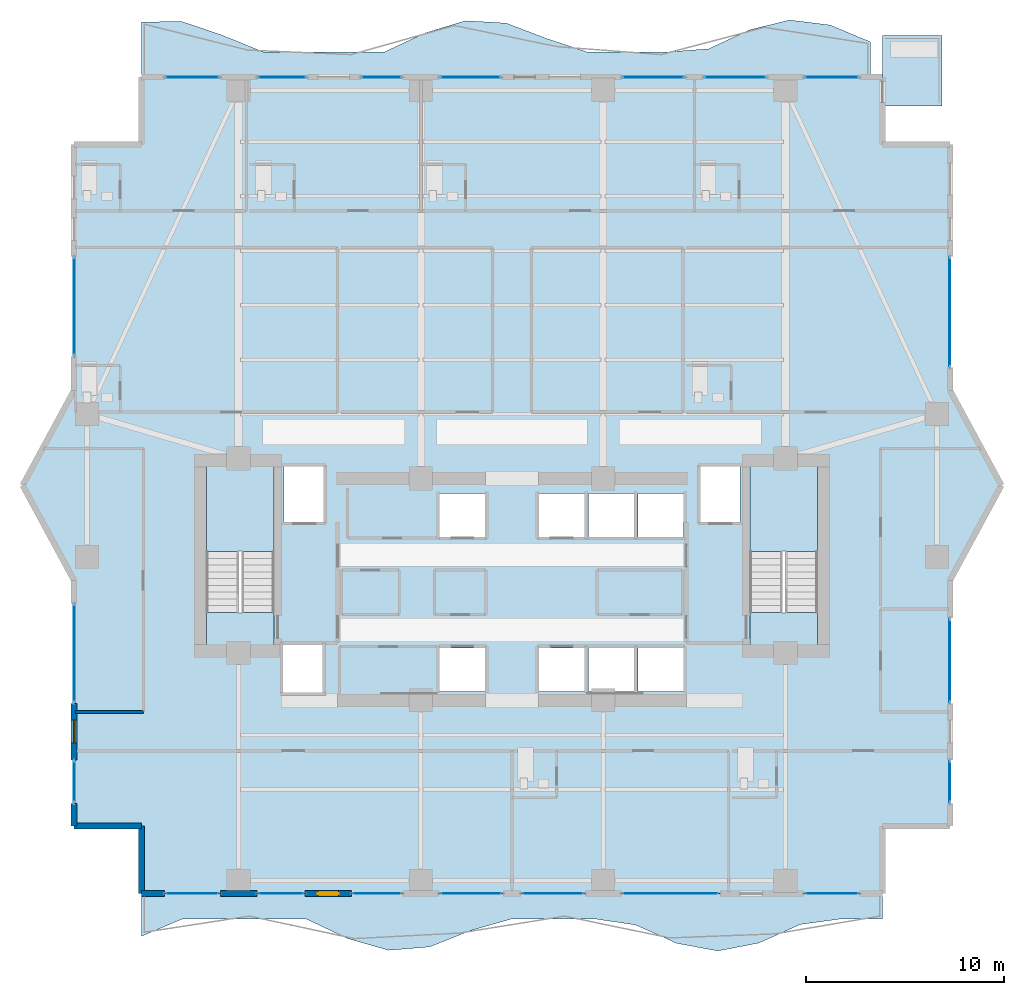
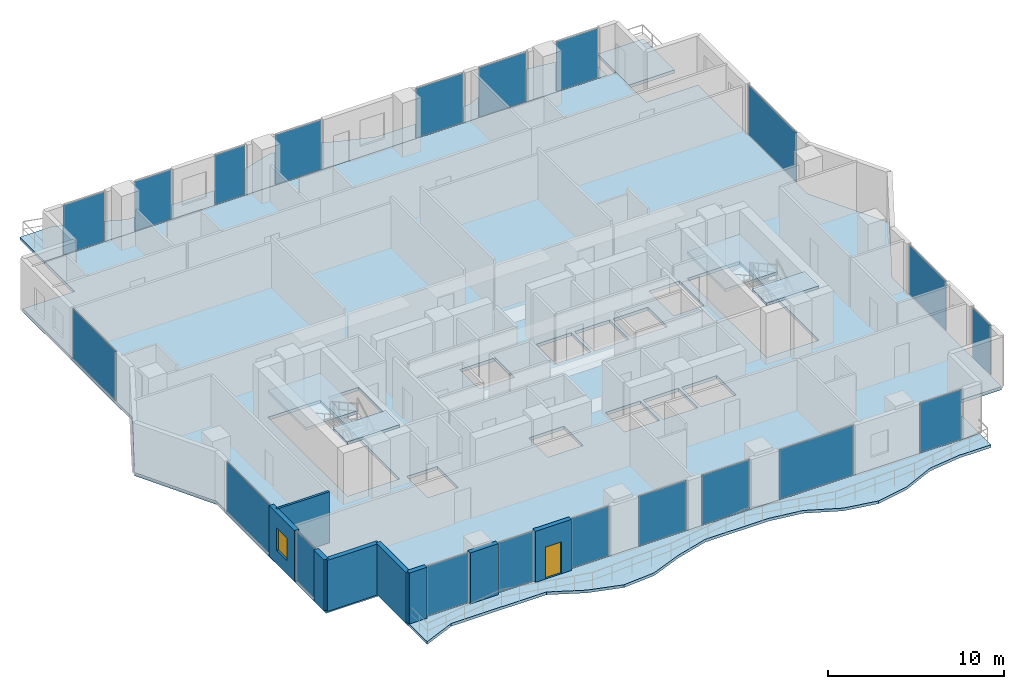
# One storey, part 24 of 33: 20 plates, 8 slabs, 8 walls, 1 door, 1 window, 2 openings, 22 elements without a shape of their own.
"""IFC4 building model written with IfcOpenShell, lengths in metres."""

from ifc_helpers import new_model, si_unit, direction, frame, frame_2d, origin, origin_2d, place, context, subcontext, project, spatial, polyline, rectangle, outline, extrude, material, layer, layer_set, type_object, element, fill, aggregate, save


model = new_model("IFC4")

# Units and contexts
model_context = context("Model", 3, precision=1e-05, world=origin(), true_north=direction((0.0, 1.0)))
body_context = subcontext(model_context, "Body", "Model", "MODEL_VIEW")
ifc_project = project(units=[si_unit("LENGTHUNIT", "METRE"), si_unit("AREAUNIT", "SQUARE_METRE"), si_unit("VOLUMEUNIT", "CUBIC_METRE"), si_unit("PLANEANGLEUNIT", "RADIAN"), si_unit("MASSUNIT", "GRAM", prefix="KILO")], contexts=[model_context])

# Site, building, storey
site_placement = place(None, origin())
site = spatial("IfcSite", under=ifc_project, at=site_placement, CompositionType="ELEMENT")
building_placement = place(site_placement, origin())
building = spatial("IfcBuilding", under=site, at=building_placement, Name="Zuhayl Quay Hotel", CompositionType="ELEMENT")
storey_placement = place(building_placement, frame((0.0, 0.0, 211.14990234375)))
storey = spatial("IfcBuildingStorey", under=building, at=storey_placement, Name="L53", CompositionType="ELEMENT", Elevation=211.14990234375)

# Curtain wall, plate
ifc_material_1 = material(Name="Anodised Aluminium 6063-T6", Category="aluminium")
ifc_layer_1 = layer(ifc_material_1, 0.175048828125, Name="Anodised Aluminium 6063-T6", Category="aluminium")
ifc_layer_set_1 = layer_set([ifc_layer_1], Name="Anodised Aluminium 6063-T6")
curtain_wall_type = type_object("IfcCurtainWallType", Name="CW_SYS_Z3", PredefinedType="USERDEFINED", material=ifc_layer_set_1)
curtain_wall_1_placement = place(storey_placement, origin())
curtain_wall_1 = element("IfcCurtainWall", 1, at=curtain_wall_1_placement, inside=storey, type_object=curtain_wall_type, Name="L53 Curtain Wall ENV_L53_E02_CW1", ObjectType="UNITISED CURTAIN WALL", PredefinedType="USERDEFINED")
ifc_material_2 = material(Name="Dark Ceramic-Fritted Solar Glass", Category="glass")
ifc_layer_2 = layer(ifc_material_2, 0.0400390625, Name="Dark Ceramic-Fritted Solar Glass", Category="glass")
ifc_layer_set_2 = layer_set([ifc_layer_2], Name="Dark Ceramic-Fritted Solar Glass")
plate_type = type_object("IfcPlateType", Name="PN_OP_VENT_Z3", PredefinedType="CURTAIN_PANEL", material=ifc_layer_set_2)
plate_1_placement = place(storey_placement, frame((-22.10009765625, -1.949951171875, 0.05517578125), z_axis=(0.0, 0.0, 1.0), x_axis=(0.0, 1.0, 0.0)))
plate_1 = element("IfcPlate", 2, at=plate_1_placement, type_object=plate_type, Name="CW-Z3 panel 1.1", PredefinedType="CURTAIN_PANEL", context=body_context, shape_type="SweptSolid", body=[
    extrude(rectangle(XDim=2.070068359375, YDim=0.0400390625, at=origin_2d()), origin(), (0.0, 0.0, 1.0), 3.419921875),
])
aggregate(curtain_wall_1, [plate_1])

curtain_wall_2_placement = place(storey_placement, origin())
curtain_wall_2 = element("IfcCurtainWall", 3, at=curtain_wall_2_placement, inside=storey, type_object=curtain_wall_type, Name="L53 Curtain Wall ENV_L53_E02_CW2", ObjectType="UNITISED CURTAIN WALL", PredefinedType="USERDEFINED")
plate_2_placement = place(storey_placement, frame((-22.10009765625, 4.52490234375, 0.05517578125), z_axis=(0.0, 0.0, 1.0), x_axis=(0.0, 1.0, 0.0)))
plate_2 = element("IfcPlate", 4, at=plate_2_placement, type_object=plate_type, Name="CW-Z3 panel 1.1", PredefinedType="CURTAIN_PANEL", context=body_context, shape_type="SweptSolid", body=[
    extrude(rectangle(XDim=4.919921875, YDim=0.0400390625, at=origin_2d()), origin(), (0.0, 0.0, 1.0), 3.419921875),
])
aggregate(curtain_wall_2, [plate_2])

curtain_wall_3_placement = place(storey_placement, origin())
curtain_wall_3 = element("IfcCurtainWall", 5, at=curtain_wall_3_placement, inside=storey, type_object=curtain_wall_type, Name="L53 Curtain Wall ENV_L53_E05_CW1", ObjectType="UNITISED CURTAIN WALL", PredefinedType="USERDEFINED")
plate_3_placement = place(storey_placement, frame((-22.10009765625, 22.030029296875, 0.05517578125), z_axis=(0.0, 0.0, 1.0), x_axis=(0.0, 1.0, 0.0)))
plate_3 = element("IfcPlate", 6, at=plate_3_placement, type_object=plate_type, Name="CW-Z3 panel 1.1", PredefinedType="CURTAIN_PANEL", context=body_context, shape_type="SweptSolid", body=[
    extrude(rectangle(XDim=4.909912109375, YDim=0.0400390625, at=origin_2d()), origin(), (0.0, 0.0, 1.0), 3.419921875),
])
aggregate(curtain_wall_3, [plate_3])

curtain_wall_4_placement = place(storey_placement, origin())
curtain_wall_4 = element("IfcCurtainWall", 7, at=curtain_wall_4_placement, inside=storey, type_object=curtain_wall_type, Name="L53 Curtain Wall ENV_L53_N_CW1", ObjectType="UNITISED CURTAIN WALL", PredefinedType="USERDEFINED")
plate_4_placement = place(storey_placement, frame((-16.135009765625, 33.60009765625, 0.05517578125), z_axis=(0.0, 0.0, 1.0), x_axis=(1.0, 0.0, 0.0)))
plate_4 = element("IfcPlate", 8, at=plate_4_placement, type_object=plate_type, Name="CW-Z3 panel 1.1", PredefinedType="CURTAIN_PANEL", context=body_context, shape_type="SweptSolid", body=[
    extrude(rectangle(XDim=2.699951171875, YDim=0.0400390625, at=origin_2d()), origin(), (0.0, 0.0, 1.0), 3.419921875),
])
aggregate(curtain_wall_4, [plate_4])

curtain_wall_5_placement = place(storey_placement, origin())
curtain_wall_5 = element("IfcCurtainWall", 9, at=curtain_wall_5_placement, inside=storey, type_object=curtain_wall_type, Name="L53 Curtain Wall ENV_L53_N_CW2", ObjectType="UNITISED CURTAIN WALL", PredefinedType="USERDEFINED")
plate_5_placement = place(storey_placement, frame((-11.614990234375, 33.60009765625, 0.05517578125), z_axis=(0.0, 0.0, 1.0), x_axis=(1.0, 0.0, 0.0)))
plate_5 = element("IfcPlate", 10, at=plate_5_placement, type_object=plate_type, Name="CW-Z3 panel 1.1", PredefinedType="CURTAIN_PANEL", context=body_context, shape_type="SweptSolid", body=[
    extrude(rectangle(XDim=2.39990234375, YDim=0.0400390625, at=origin_2d()), origin(), (0.0, 0.0, 1.0), 3.419921875),
])
aggregate(curtain_wall_5, [plate_5])

curtain_wall_6_placement = place(storey_placement, origin())
curtain_wall_6 = element("IfcCurtainWall", 11, at=curtain_wall_6_placement, inside=storey, type_object=curtain_wall_type, Name="L53 Curtain Wall ENV_L53_N_CW3", ObjectType="UNITISED CURTAIN WALL", PredefinedType="USERDEFINED")
plate_6_placement = place(storey_placement, frame((-6.5849609375, 33.60009765625, 0.05517578125), z_axis=(0.0, 0.0, 1.0), x_axis=(1.0, 0.0, 0.0)))
plate_6 = element("IfcPlate", 12, at=plate_6_placement, type_object=plate_type, Name="CW-Z3 panel 1.1", PredefinedType="CURTAIN_PANEL", context=body_context, shape_type="SweptSolid", body=[
    extrude(rectangle(XDim=2.0, YDim=0.0400390625, at=origin_2d()), origin(), (0.0, 0.0, 1.0), 3.419921875),
])
aggregate(curtain_wall_6, [plate_6])

curtain_wall_7_placement = place(storey_placement, origin())
curtain_wall_7 = element("IfcCurtainWall", 13, at=curtain_wall_7_placement, inside=storey, type_object=curtain_wall_type, Name="L53 Curtain Wall ENV_L53_N_CW4", ObjectType="UNITISED CURTAIN WALL", PredefinedType="USERDEFINED")
plate_7_placement = place(storey_placement, frame((-2.10546875, 33.60009765625, 0.05517578125), z_axis=(0.0, 0.0, 1.0), x_axis=(1.0, 0.0, 0.0)))
plate_7 = element("IfcPlate", 14, at=plate_7_placement, type_object=plate_type, Name="CW-Z3 panel 1.1", PredefinedType="CURTAIN_PANEL", context=body_context, shape_type="SweptSolid", body=[
    extrude(rectangle(XDim=3.01904296875, YDim=0.0400390625, at=origin_2d()), origin(), (0.0, 0.0, 1.0), 3.419921875),
])
aggregate(curtain_wall_7, [plate_7])

curtain_wall_8_placement = place(storey_placement, origin())
curtain_wall_8 = element("IfcCurtainWall", 15, at=curtain_wall_8_placement, inside=storey, type_object=curtain_wall_type, Name="L53 Curtain Wall ENV_L53_N_CW5", ObjectType="UNITISED CURTAIN WALL", PredefinedType="USERDEFINED")
plate_8_placement = place(storey_placement, frame((7.135009765625, 33.60009765625, 0.05517578125), z_axis=(0.0, 0.0, 1.0), x_axis=(1.0, 0.0, 0.0)))
plate_8 = element("IfcPlate", 16, at=plate_8_placement, type_object=plate_type, Name="CW-Z3 panel 1.1", PredefinedType="CURTAIN_PANEL", context=body_context, shape_type="SweptSolid", body=[
    extrude(rectangle(XDim=3.10009765625, YDim=0.0400390625, at=origin_2d()), origin(), (0.0, 0.0, 1.0), 3.419921875),
])
aggregate(curtain_wall_8, [plate_8])

curtain_wall_9_placement = place(storey_placement, origin())
curtain_wall_9 = element("IfcCurtainWall", 17, at=curtain_wall_9_placement, inside=storey, type_object=curtain_wall_type, Name="L53 Curtain Wall ENV_L53_N_CW6", ObjectType="UNITISED CURTAIN WALL", PredefinedType="USERDEFINED")
plate_9_placement = place(storey_placement, frame((11.264892578125, 33.60009765625, 0.05517578125), z_axis=(0.0, 0.0, 1.0), x_axis=(1.0, 0.0, 0.0)))
plate_9 = element("IfcPlate", 18, at=plate_9_placement, type_object=plate_type, Name="CW-Z3 panel 1.1", PredefinedType="CURTAIN_PANEL", context=body_context, shape_type="SweptSolid", body=[
    extrude(rectangle(XDim=3.10009765625, YDim=0.0400390625, at=origin_2d()), origin(), (0.0, 0.0, 1.0), 3.419921875),
])
aggregate(curtain_wall_9, [plate_9])

curtain_wall_10_placement = place(storey_placement, origin())
curtain_wall_10 = element("IfcCurtainWall", 19, at=curtain_wall_10_placement, inside=storey, type_object=curtain_wall_type, Name="L53 Curtain Wall ENV_L53_N_CW7", ObjectType="UNITISED CURTAIN WALL", PredefinedType="USERDEFINED")
plate_10_placement = place(storey_placement, frame((16.135009765625, 33.60009765625, 0.05517578125), z_axis=(0.0, 0.0, 1.0), x_axis=(1.0, 0.0, 0.0)))
plate_10 = element("IfcPlate", 20, at=plate_10_placement, type_object=plate_type, Name="CW-Z3 panel 1.1", PredefinedType="CURTAIN_PANEL", context=body_context, shape_type="SweptSolid", body=[
    extrude(rectangle(XDim=2.699951171875, YDim=0.0400390625, at=origin_2d()), origin(), (0.0, 0.0, 1.0), 3.419921875),
])
aggregate(curtain_wall_10, [plate_10])

curtain_wall_11_placement = place(storey_placement, origin())
curtain_wall_11 = element("IfcCurtainWall", 21, at=curtain_wall_11_placement, inside=storey, type_object=curtain_wall_type, Name="L53 Curtain Wall ENV_L53_E11_CW1", ObjectType="UNITISED CURTAIN WALL", PredefinedType="USERDEFINED")
plate_11_placement = place(storey_placement, frame((22.10009765625, 21.75, 0.05517578125), z_axis=(0.0, 0.0, 1.0), x_axis=(0.0, -1.0, 0.0)))
plate_11 = element("IfcPlate", 22, at=plate_11_placement, type_object=plate_type, Name="CW-Z3 panel 1.1", PredefinedType="CURTAIN_PANEL", context=body_context, shape_type="SweptSolid", body=[
    extrude(rectangle(XDim=5.469970703125, YDim=0.0400390625, at=origin_2d()), origin(), (0.0, 0.0, 1.0), 3.419921875),
])
aggregate(curtain_wall_11, [plate_11])

curtain_wall_12_placement = place(storey_placement, origin())
curtain_wall_12 = element("IfcCurtainWall", 23, at=curtain_wall_12_placement, inside=storey, type_object=curtain_wall_type, Name="L53 Curtain Wall ENV_L53_E14_CW1", ObjectType="UNITISED CURTAIN WALL", PredefinedType="USERDEFINED")
plate_12_placement = place(storey_placement, frame((22.10009765625, 4.14990234375, 0.05517578125), z_axis=(0.0, 0.0, 1.0), x_axis=(0.0, -1.0, 0.0)))
plate_12 = element("IfcPlate", 24, at=plate_12_placement, type_object=plate_type, Name="CW-Z3 panel 1.1", PredefinedType="CURTAIN_PANEL", context=body_context, shape_type="SweptSolid", body=[
    extrude(rectangle(XDim=4.169921875, YDim=0.0400390625, at=origin_2d()), origin(), (0.0, 0.0, 1.0), 3.419921875),
])
aggregate(curtain_wall_12, [plate_12])

curtain_wall_13_placement = place(storey_placement, origin())
curtain_wall_13 = element("IfcCurtainWall", 25, at=curtain_wall_13_placement, inside=storey, type_object=curtain_wall_type, Name="L53 Curtain Wall ENV_L53_E14_CW2", ObjectType="UNITISED CURTAIN WALL", PredefinedType="USERDEFINED")
plate_13_placement = place(storey_placement, frame((22.10009765625, -1.949951171875, 0.05517578125), z_axis=(0.0, 0.0, 1.0), x_axis=(0.0, -1.0, 0.0)))
plate_13 = element("IfcPlate", 26, at=plate_13_placement, type_object=plate_type, Name="CW-Z3 panel 1.1", PredefinedType="CURTAIN_PANEL", context=body_context, shape_type="SweptSolid", body=[
    extrude(rectangle(XDim=2.070068359375, YDim=0.0400390625, at=origin_2d()), origin(), (0.0, 0.0, 1.0), 3.419921875),
])
aggregate(curtain_wall_13, [plate_13])

curtain_wall_14_placement = place(storey_placement, origin())
curtain_wall_14 = element("IfcCurtainWall", 27, at=curtain_wall_14_placement, inside=storey, type_object=curtain_wall_type, Name="L53 Curtain Wall ENV_L53_S_CW1", ObjectType="UNITISED CURTAIN WALL", PredefinedType="USERDEFINED")
plate_14_placement = place(storey_placement, frame((16.135009765625, -7.60009765625, 0.05517578125), z_axis=(0.0, 0.0, 1.0), x_axis=(-1.0, 0.0, 0.0)))
plate_14 = element("IfcPlate", 28, at=plate_14_placement, type_object=plate_type, Name="CW-Z3 panel 1.1", PredefinedType="CURTAIN_PANEL", context=body_context, shape_type="SweptSolid", body=[
    extrude(rectangle(XDim=2.699951171875, YDim=0.0400390625, at=origin_2d()), origin(), (0.0, 0.0, 1.0), 3.419921875),
])
aggregate(curtain_wall_14, [plate_14])

curtain_wall_15_placement = place(storey_placement, origin())
curtain_wall_15 = element("IfcCurtainWall", 29, at=curtain_wall_15_placement, inside=storey, type_object=curtain_wall_type, Name="L53 Curtain Wall ENV_L53_S_CW2", ObjectType="UNITISED CURTAIN WALL", PredefinedType="USERDEFINED")
plate_15_placement = place(storey_placement, frame((8.0048828125, -7.60009765625, 0.05517578125), z_axis=(0.0, 0.0, 1.0), x_axis=(-1.0, 0.0, 0.0)))
plate_15 = element("IfcPlate", 30, at=plate_15_placement, type_object=plate_type, Name="CW-Z3 panel 1.1", PredefinedType="CURTAIN_PANEL", context=body_context, shape_type="SweptSolid", body=[
    extrude(rectangle(XDim=4.840087890625, YDim=0.0400390625, at=origin_2d()), origin(), (0.0, 0.0, 1.0), 3.419921875),
])
aggregate(curtain_wall_15, [plate_15])

curtain_wall_16_placement = place(storey_placement, origin())
curtain_wall_16 = element("IfcCurtainWall", 31, at=curtain_wall_16_placement, inside=storey, type_object=curtain_wall_type, Name="L53 Curtain Wall ENV_L53_S_CW3", ObjectType="UNITISED CURTAIN WALL", PredefinedType="USERDEFINED")
plate_16_placement = place(storey_placement, frame((2.06494140625, -7.60009765625, 0.05517578125), z_axis=(0.0, 0.0, 1.0), x_axis=(-1.0, 0.0, 0.0)))
plate_16 = element("IfcPlate", 32, at=plate_16_placement, type_object=plate_type, Name="CW-Z3 panel 1.1", PredefinedType="CURTAIN_PANEL", context=body_context, shape_type="SweptSolid", body=[
    extrude(rectangle(XDim=3.10009765625, YDim=0.0400390625, at=origin_2d()), origin(), (0.0, 0.0, 1.0), 3.419921875),
])
aggregate(curtain_wall_16, [plate_16])

curtain_wall_17_placement = place(storey_placement, origin())
curtain_wall_17 = element("IfcCurtainWall", 33, at=curtain_wall_17_placement, inside=storey, type_object=curtain_wall_type, Name="L53 Curtain Wall ENV_L53_S_CW4", ObjectType="UNITISED CURTAIN WALL", PredefinedType="USERDEFINED")
plate_17_placement = place(storey_placement, frame((-2.06494140625, -7.60009765625, 0.05517578125), z_axis=(0.0, 0.0, 1.0), x_axis=(-1.0, 0.0, 0.0)))
plate_17 = element("IfcPlate", 34, at=plate_17_placement, type_object=plate_type, Name="CW-Z3 panel 1.1", PredefinedType="CURTAIN_PANEL", context=body_context, shape_type="SweptSolid", body=[
    extrude(rectangle(XDim=3.10009765625, YDim=0.0400390625, at=origin_2d()), origin(), (0.0, 0.0, 1.0), 3.419921875),
])
aggregate(curtain_wall_17, [plate_17])

curtain_wall_18_placement = place(storey_placement, origin())
curtain_wall_18 = element("IfcCurtainWall", 35, at=curtain_wall_18_placement, inside=storey, type_object=curtain_wall_type, Name="L53 Curtain Wall ENV_L53_S_CW5", ObjectType="UNITISED CURTAIN WALL", PredefinedType="USERDEFINED")
plate_18_placement = place(storey_placement, frame((-6.81005859375, -7.60009765625, 0.05517578125), z_axis=(0.0, 0.0, 1.0), x_axis=(-1.0, 0.0, 0.0)))
plate_18 = element("IfcPlate", 36, at=plate_18_placement, type_object=plate_type, Name="CW-Z3 panel 1.1", PredefinedType="CURTAIN_PANEL", context=body_context, shape_type="SweptSolid", body=[
    extrude(rectangle(XDim=2.449951171875, YDim=0.0400390625, at=origin_2d()), origin(), (0.0, 0.0, 1.0), 3.419921875),
])
aggregate(curtain_wall_18, [plate_18])

curtain_wall_19_placement = place(storey_placement, origin())
curtain_wall_19 = element("IfcCurtainWall", 37, at=curtain_wall_19_placement, inside=storey, type_object=curtain_wall_type, Name="L53 Curtain Wall ENV_L53_S_CW6", ObjectType="UNITISED CURTAIN WALL", PredefinedType="USERDEFINED")
plate_19_placement = place(storey_placement, frame((-11.6650390625, -7.60009765625, 0.05517578125), z_axis=(0.0, 0.0, 1.0), x_axis=(-1.0, 0.0, 0.0)))
plate_19 = element("IfcPlate", 38, at=plate_19_placement, type_object=plate_type, Name="CW-Z3 panel 1.1", PredefinedType="CURTAIN_PANEL", context=body_context, shape_type="SweptSolid", body=[
    extrude(rectangle(XDim=2.300048828125, YDim=0.0400390625, at=origin_2d()), origin(), (0.0, 0.0, 1.0), 3.419921875),
])
aggregate(curtain_wall_19, [plate_19])

curtain_wall_20_placement = place(storey_placement, origin())
curtain_wall_20 = element("IfcCurtainWall", 39, at=curtain_wall_20_placement, inside=storey, type_object=curtain_wall_type, Name="L53 Curtain Wall ENV_L53_S_CW7", ObjectType="UNITISED CURTAIN WALL", PredefinedType="USERDEFINED")
plate_20_placement = place(storey_placement, frame((-16.135009765625, -7.60009765625, 0.05517578125), z_axis=(0.0, 0.0, 1.0), x_axis=(-1.0, 0.0, 0.0)))
plate_20 = element("IfcPlate", 40, at=plate_20_placement, type_object=plate_type, Name="CW-Z3 panel 1.1", PredefinedType="CURTAIN_PANEL", context=body_context, shape_type="SweptSolid", body=[
    extrude(rectangle(XDim=2.699951171875, YDim=0.0400390625, at=origin_2d()), origin(), (0.0, 0.0, 1.0), 3.419921875),
])
aggregate(curtain_wall_20, [plate_20])

# Slabs
ifc_material_3 = material(Name="Concrete C45/55", Category="concrete")
ifc_layer_3 = layer(ifc_material_3, 0.195068359375, Name="Concrete C45/55", Category="concrete")
ifc_layer_set_3 = layer_set([ifc_layer_3], Name="Concrete C45/55")
slab_type_1 = type_object("IfcSlabType", Name="SL_BALCONY_195", PredefinedType="FLOOR", material=ifc_layer_set_3)
slab_1_placement = place(storey_placement, frame((0.0, 0.0, -0.19482421875)))
element("IfcSlab", 41, at=slab_1_placement, inside=storey, type_object=slab_type_1, Name="L53 Exterior Rippling Balcony Slab North", PredefinedType="FLOOR", context=body_context, shape_type="SweptSolid", body=[
    extrude(outline(polyline([(-18.699951171875, 33.60009765625), (18.10009765625, 33.60009765625), (18.10009765625, 35.380615234375), (16.0556640625, 36.235107421875), (14.010986328125, 36.48779296875), (11.966796875, 35.984619140625), (9.922119140625, 35.032958984375), (7.877685546875, 34.8798828125), (5.833251953125, 34.8798828125), (3.788818359375, 34.8798828125), (1.744384765625, 35.552490234375), (-0.300048828125, 36.33251953125), (-2.344482421875, 36.45166015625), (-4.388916015625, 35.8369140625), (-6.433349609375, 34.8798828125), (-8.477783203125, 34.8798828125), (-10.522216796875, 34.8798828125), (-12.566650390625, 34.8798828125), (-14.611083984375, 35.71826171875), (-16.655517578125, 36.408935546875), (-18.699951171875, 36.391845703125), (-18.699951171875, 33.60009765625)])), origin(), (0.0, 0.0, 1.0), 0.19482421875),
])
slab_2_placement = place(storey_placement, frame((0.0, 0.0, -0.19482421875)))
element("IfcSlab", 42, at=slab_2_placement, inside=storey, type_object=slab_type_1, Name="L53 Exterior Rippling Balcony Slab South", PredefinedType="FLOOR", context=body_context, shape_type="SweptSolid", body=[
    extrude(outline(polyline([(-18.699951171875, -9.75830078125), (-16.622314453125, -8.8798828125), (-14.54443359375, -8.8798828125), (-12.466796875, -8.8798828125), (-10.388916015625, -8.884521484375), (-8.31103515625, -9.870361328125), (-6.2333984375, -10.465576171875), (-4.155517578125, -10.29541015625), (-2.077880859375, -9.467041015625), (0.0, -8.8798828125), (2.077880859375, -8.8798828125), (4.155517578125, -8.8798828125), (6.2333984375, -9.1845703125), (8.31103515625, -10.114501953125), (10.388916015625, -10.5), (12.466796875, -10.098388671875), (14.54443359375, -9.162841796875), (16.622314453125, -8.8798828125), (18.699951171875, -8.8798828125), (18.699951171875, -7.60009765625), (-18.699951171875, -7.60009765625), (-18.699951171875, -9.75830078125)])), origin(), (0.0, 0.0, 1.0), 0.19482421875),
])
ifc_layer_4 = layer(ifc_material_3, 0.219970703125, Name="Concrete C45/55", Category="concrete")
ifc_layer_set_4 = layer_set([ifc_layer_4], Name="Concrete C45/55")
slab_type_2 = type_object("IfcSlabType", Name="SL_FLOOR_220", PredefinedType="FLOOR", material=ifc_layer_set_4)
slab_3_placement = place(storey_placement, frame((0.0, 0.0, -0.219970703125)))
element("IfcSlab", 43, at=slab_3_placement, inside=storey, type_object=slab_type_2, Name="L53 Structural Floor Slab", PredefinedType="FLOOR", context=body_context, shape_type="SweptSolid", body=[
    extrude(outline(polyline([(-18.699951171875, -7.60009765625), (18.699951171875, -7.60009765625), (18.699951171875, -4.199951171875), (22.10009765625, -4.199951171875), (22.10009765625, 8.199951171875), (24.699951171875, 13.0), (22.10009765625, 17.800048828125), (22.10009765625, 30.199951171875), (18.699951171875, 30.199951171875), (18.699951171875, 33.60009765625), (-18.699951171875, 33.60009765625), (-18.699951171875, 30.199951171875), (-22.10009765625, 30.199951171875), (-22.10009765625, 17.800048828125), (-24.699951171875, 13.0), (-22.10009765625, 8.199951171875), (-22.10009765625, -4.199951171875), (-18.699951171875, -4.199951171875), (-18.699951171875, -7.60009765625)]), holes=[polyline([(-12.0, 4.949951171875), (-12.0, 13.949951171875), (-15.429931640625, 13.949951171875), (-15.429931640625, 4.949951171875), (-12.0, 4.949951171875)]), polyline([(15.429931640625, 4.949951171875), (15.429931640625, 13.949951171875), (12.0, 13.949951171875), (12.0, 4.949951171875), (15.429931640625, 4.949951171875)]), polyline([(-11.5, 11.14990234375), (-9.5, 11.14990234375), (-9.5, 13.949951171875), (-11.5, 13.949951171875), (-11.5, 11.14990234375)]), polyline([(9.5, 11.14990234375), (11.5, 11.14990234375), (11.5, 13.949951171875), (9.5, 13.949951171875), (9.5, 11.14990234375)]), polyline([(-3.64990234375, 2.60009765625), (-1.35009765625, 2.60009765625), (-1.35009765625, 4.800048828125), (-3.64990234375, 4.800048828125), (-3.64990234375, 2.60009765625)]), polyline([(1.35009765625, 2.60009765625), (3.64990234375, 2.60009765625), (3.64990234375, 4.800048828125), (1.35009765625, 4.800048828125), (1.35009765625, 2.60009765625)]), polyline([(-3.64990234375, 10.39990234375), (-1.35009765625, 10.39990234375), (-1.35009765625, 12.60009765625), (-3.64990234375, 12.60009765625), (-3.64990234375, 10.39990234375)]), polyline([(1.35009765625, 10.39990234375), (3.64990234375, 10.39990234375), (3.64990234375, 12.60009765625), (1.35009765625, 12.60009765625), (1.35009765625, 10.39990234375)]), polyline([(3.85009765625, 2.60009765625), (6.14990234375, 2.60009765625), (6.14990234375, 4.800048828125), (3.85009765625, 4.800048828125), (3.85009765625, 2.60009765625)]), polyline([(6.35009765625, 2.60009765625), (8.64990234375, 2.60009765625), (8.64990234375, 4.800048828125), (6.35009765625, 4.800048828125), (6.35009765625, 2.60009765625)]), polyline([(3.85009765625, 10.39990234375), (6.14990234375, 10.39990234375), (6.14990234375, 12.60009765625), (3.85009765625, 12.60009765625), (3.85009765625, 10.39990234375)]), polyline([(6.35009765625, 10.39990234375), (8.64990234375, 10.39990234375), (8.64990234375, 12.60009765625), (6.35009765625, 12.60009765625), (6.35009765625, 10.39990234375)]), polyline([(-11.550048828125, 2.550048828125), (-9.550048828125, 2.550048828125), (-9.550048828125, 4.949951171875), (-11.550048828125, 4.949951171875), (-11.550048828125, 2.550048828125)])]), origin(), (0.0, 0.0, 1.0), 0.219970703125),
])

# Stair, slabs
stair_type = type_object("IfcStairType", Name="ST_DOGLEG_TOWER", PredefinedType="HALF_TURN_STAIR", material=ifc_material_3)
stair_1_placement = place(storey_placement, origin())
stair_1 = element("IfcStair", 44, at=stair_1_placement, inside=storey, type_object=stair_type, Name="L53 Smokeproof Exit Stair ST1", PredefinedType="HALF_TURN_STAIR")
ifc_layer_5 = layer(ifc_material_3, 0.199951171875, Name="Concrete C45/55", Category="concrete")
ifc_layer_set_5 = layer_set([ifc_layer_5], Name="Concrete C45/55")
slab_type_3 = type_object("IfcSlabType", Name="SL_STAIR_LANDING_200", PredefinedType="LANDING", material=ifc_layer_set_5)
slab_4_placement = place(storey_placement, frame((0.0, 0.0, 1.675048828125)))
slab_4 = element("IfcSlab", 45, at=slab_4_placement, type_object=slab_type_3, Name="ST1 landing 1", PredefinedType="LANDING", context=body_context, shape_type="SweptSolid", body=[
    extrude(outline(polyline([(-12.0, 9.64990234375), (-12.0, 13.949951171875), (-15.429931640625, 13.949951171875), (-15.429931640625, 9.64990234375), (-12.0, 9.64990234375)])), origin(), (0.0, 0.0, 1.0), 0.199951171875),
])
slab_5_placement = place(storey_placement, frame((0.0, 0.0, 3.550048828125)))
slab_5 = element("IfcSlab", 46, at=slab_5_placement, type_object=slab_type_3, Name="ST1 landing 2", PredefinedType="LANDING", context=body_context, shape_type="SweptSolid", body=[
    extrude(outline(polyline([(-12.0, 4.949951171875), (-12.0, 6.590087890625), (-15.429931640625, 6.590087890625), (-15.429931640625, 4.949951171875), (-12.0, 4.949951171875)])), origin(), (0.0, 0.0, 1.0), 0.199951171875),
])
aggregate(stair_1, [slab_4, slab_5])

stair_2_placement = place(storey_placement, origin())
stair_2 = element("IfcStair", 47, at=stair_2_placement, inside=storey, type_object=stair_type, Name="L53 Smokeproof Exit Stair ST2", PredefinedType="HALF_TURN_STAIR")
slab_6_placement = place(storey_placement, frame((0.0, 0.0, 1.675048828125)))
slab_6 = element("IfcSlab", 48, at=slab_6_placement, type_object=slab_type_3, Name="ST2 landing 1", PredefinedType="LANDING", context=body_context, shape_type="SweptSolid", body=[
    extrude(outline(polyline([(15.429931640625, 9.64990234375), (15.429931640625, 13.949951171875), (12.0, 13.949951171875), (12.0, 9.64990234375), (15.429931640625, 9.64990234375)])), origin(), (0.0, 0.0, 1.0), 0.199951171875),
])
slab_7_placement = place(storey_placement, frame((0.0, 0.0, 3.550048828125)))
slab_7 = element("IfcSlab", 49, at=slab_7_placement, type_object=slab_type_3, Name="ST2 landing 2", PredefinedType="LANDING", context=body_context, shape_type="SweptSolid", body=[
    extrude(outline(polyline([(15.429931640625, 4.949951171875), (15.429931640625, 6.590087890625), (12.0, 6.590087890625), (12.0, 4.949951171875), (15.429931640625, 4.949951171875)])), origin(), (0.0, 0.0, 1.0), 0.199951171875),
])
aggregate(stair_2, [slab_6, slab_7])

# Slab
ifc_layer_6 = layer(ifc_material_3, 0.219970703125, Name="Concrete C45/55", Category="concrete")
ifc_layer_set_6 = layer_set([ifc_layer_6], Name="Concrete C45/55")
slab_type_4 = type_object("IfcSlabType", Name="SL_TERRACE_235", PredefinedType="FLOOR", material=ifc_layer_set_6)
slab_8_placement = place(storey_placement, frame((0.0, 0.0, -0.219970703125)))
element("IfcSlab", 50, at=slab_8_placement, inside=storey, type_object=slab_type_4, Name="L53 Exterior Sky-Terrace Slab L53_SPIRAL_NE", PredefinedType="FLOOR", context=body_context, shape_type="SweptSolid", body=[
    extrude(outline(polyline([(18.699951171875, 32.14990234375), (21.699951171875, 32.14990234375), (21.699951171875, 35.699951171875), (18.699951171875, 35.699951171875), (18.699951171875, 32.14990234375)])), origin(), (0.0, 0.0, 1.0), 0.219970703125),
])

# Walls
ifc_material_4 = material(Name="Precast concrete C45/55", Category="concrete")
ifc_layer_7 = layer(ifc_material_4, 0.300048828125, Name="Precast concrete C45/55", Category="concrete")
ifc_layer_set_7 = layer_set([ifc_layer_7], Name="Precast concrete C45/55")
wall_type_1 = type_object("IfcWallType", Name="WL_EXT_300", PredefinedType="STANDARD", material=ifc_layer_set_7)
wall_1_placement = place(storey_placement, frame((-18.699951171875, -4.199951171875, 0.0), z_axis=(0.0, 0.0, 1.0), x_axis=(-1.0, 0.0, 0.0)))
element("IfcWall", 51, at=wall_1_placement, inside=storey, type_object=wall_type_1, Name="L53 Exterior Precast Wall ENV_L53_EW01", PredefinedType="STANDARD", context=body_context, shape_type="SweptSolid", body=[
    extrude(rectangle(XDim=3.400146484375, YDim=0.300048828125, at=frame_2d((1.7001953125, 0.0))), origin(), (0.0, 0.0, 1.0), 3.530029296875),
])
wall_2_placement = place(storey_placement, frame((-22.10009765625, -4.199951171875, 0.0), z_axis=(0.0, 0.0, 1.0), x_axis=(0.0, 1.0, 0.0)))
element("IfcWall", 52, at=wall_2_placement, inside=storey, type_object=wall_type_1, Name="L53 Exterior Precast Wall ENV_L53_E02_EW1", PredefinedType="STANDARD", context=body_context, shape_type="SweptSolid", body=[
    extrude(rectangle(XDim=1.14990234375, YDim=0.300048828125, at=frame_2d((0.574951171875, 0.0))), origin(), (0.0, 0.0, 1.0), 3.530029296875),
])

# Wall, opening, window
wall_3_placement = place(storey_placement, frame((-22.10009765625, -0.85009765625, 0.0), z_axis=(0.0, 0.0, 1.0), x_axis=(0.0, 1.0, 0.0)))
wall_3 = element("IfcWall", 53, at=wall_3_placement, inside=storey, type_object=wall_type_1, Name="L53 Exterior Precast Wall ENV_L53_E02_EW2", PredefinedType="STANDARD", context=body_context, shape_type="SweptSolid", body=[
    extrude(rectangle(XDim=2.85009765625, YDim=0.300048828125, at=frame_2d((1.425048828125, 0.0))), origin(), (0.0, 0.0, 1.0), 3.530029296875),
])
opening_1_placement = place(wall_3_placement, frame((0.85009765625, 0.0, 0.949951171875)))
opening_1 = element("IfcOpeningElement", 54, at=opening_1_placement, cuts=wall_3, Name="Opening W01N", PredefinedType="OPENING", context=body_context, shape_type="SweptSolid", body=[
    extrude(rectangle(XDim=1.14990234375, YDim=1.550048828125, at=frame_2d((0.574951171875, 0.77490234375))), frame((0.0, 0.159912109375, 0.0), z_axis=(0.0, -1.0, 0.0), x_axis=(1.0, 0.0, 0.0)), (0.0, 0.0, 1.0), 0.320068359375),
])
window_type = type_object("IfcWindowType", Name="WN_NOTCH_1350", PartitioningType="SINGLE_PANEL", PredefinedType="WINDOW", material=ifc_material_2)
window_placement = place(opening_1_placement, origin())
window = element("IfcWindow", 55, at=window_placement, inside=storey, type_object=window_type, Name="L53 Operable Facade Window 2-1", OverallHeight=1.550048828125, OverallWidth=1.14990234375, PartitioningType="SINGLE_PANEL", PredefinedType="WINDOW", context=body_context, shape_type="SweptSolid", body=[
    extrude(rectangle(XDim=1.14990234375, YDim=1.550048828125, at=frame_2d((0.574951171875, 0.77490234375))), frame((0.0, 0.030029296875, 0.0), z_axis=(0.0, -1.0, 0.0), x_axis=(1.0, 0.0, 0.0)), (0.0, 0.0, 1.0), 0.06005859375),
])
fill(opening_1, window)

# Wall, opening, door
wall_4_placement = place(storey_placement, frame((-8.10009765625, -7.60009765625, 0.0), z_axis=(0.0, 0.0, 1.0), x_axis=(-1.0, 0.0, 0.0)))
wall_4 = element("IfcWall", 56, at=wall_4_placement, inside=storey, type_object=wall_type_1, Name="L53 Exterior Precast Wall ENV_L53_S_EW6", PredefinedType="STANDARD", context=body_context, shape_type="SweptSolid", body=[
    extrude(rectangle(XDim=2.349853515625, YDim=0.300048828125, at=frame_2d((1.1748046875, 0.0))), origin(), (0.0, 0.0, 1.0), 3.530029296875),
])
opening_2_placement = place(wall_4_placement, frame((0.64990234375, 0.0, 0.0)))
opening_2 = element("IfcOpeningElement", 57, at=opening_2_placement, cuts=wall_4, Name="Opening DG1", PredefinedType="OPENING", context=body_context, shape_type="SweptSolid", body=[
    extrude(rectangle(XDim=1.050048828125, YDim=2.199951171875, at=frame_2d((0.52490234375, 1.10009765625))), frame((0.0, 0.159912109375, 0.0), z_axis=(0.0, -1.0, 0.0), x_axis=(1.0, 0.0, 0.0)), (0.0, 0.0, 1.0), 0.320068359375),
])
ifc_material_5 = material(Name="Anodised Aluminium and Dark Solar Glass", Category="aluminium")
door_type = type_object("IfcDoorType", Name="DR_EXT_TERR_1050", OperationType="NOTDEFINED", PredefinedType="DOOR", material=ifc_material_5)
door_placement = place(opening_2_placement, origin())
door = element("IfcDoor", 58, at=door_placement, inside=storey, type_object=door_type, Name="L53 South Rippling Balcony Door", OperationType="SINGLE_SWING_RIGHT", OverallHeight=2.199951171875, OverallWidth=1.050048828125, PredefinedType="DOOR", context=body_context, shape_type="SweptSolid", body=[
    extrude(rectangle(XDim=1.050048828125, YDim=2.199951171875, at=frame_2d((0.52490234375, 1.10009765625))), frame((0.0, 0.02490234375, 0.0), z_axis=(0.0, -1.0, 0.0), x_axis=(1.0, 0.0, 0.0)), (0.0, 0.0, 1.0), 0.050048828125),
])
fill(opening_2, door)

# Walls
wall_5_placement = place(storey_placement, frame((-12.8798828125, -7.60009765625, 0.0), z_axis=(0.0, 0.0, 1.0), x_axis=(-1.0, 0.0, 0.0)))
element("IfcWall", 59, at=wall_5_placement, inside=storey, type_object=wall_type_1, Name="L53 Exterior Precast Wall ENV_L53_S_EW7", PredefinedType="STANDARD", context=body_context, shape_type="SweptSolid", body=[
    extrude(rectangle(XDim=1.840087890625, YDim=0.300048828125, at=frame_2d((0.919921875, 0.0))), origin(), (0.0, 0.0, 1.0), 3.530029296875),
])
wall_6_placement = place(storey_placement, frame((-17.550048828125, -7.60009765625, 0.0), z_axis=(0.0, 0.0, 1.0), x_axis=(-1.0, 0.0, 0.0)))
element("IfcWall", 60, at=wall_6_placement, inside=storey, type_object=wall_type_1, Name="L53 Exterior Precast Wall ENV_L53_S_EW8", PredefinedType="STANDARD", context=body_context, shape_type="SweptSolid", body=[
    extrude(rectangle(XDim=1.14990234375, YDim=0.300048828125, at=frame_2d((0.574951171875, 0.0))), origin(), (0.0, 0.0, 1.0), 3.530029296875),
])
wall_7_placement = place(storey_placement, frame((-18.699951171875, -7.60009765625, 0.0), z_axis=(0.0, 0.0, 1.0), x_axis=(0.0, 1.0, 0.0)))
element("IfcWall", 61, at=wall_7_placement, inside=storey, type_object=wall_type_1, Name="L53 Exterior Precast Wall ENV_L53_EW18", PredefinedType="STANDARD", context=body_context, shape_type="SweptSolid", body=[
    extrude(rectangle(XDim=3.400146484375, YDim=0.300048828125, at=frame_2d((1.7001953125, 0.0))), origin(), (0.0, 0.0, 1.0), 3.530029296875),
])
ifc_material_6 = material(Name="Acoustic Gypsum Partition STC-58")
ifc_layer_8 = layer(ifc_material_6, 0.14990234375, Name="Acoustic Gypsum Partition STC-58")
ifc_layer_set_8 = layer_set([ifc_layer_8], Name="Acoustic Gypsum Partition STC-58")
wall_type_2 = type_object("IfcWallType", Name="WL_PART_150", PredefinedType="PARTITIONING", material=ifc_layer_set_8)
wall_8_placement = place(storey_placement, frame((-22.0400390625, 1.550048828125, 0.0), z_axis=(0.0, 0.0, 1.0), x_axis=(1.0, 0.0, 0.0)))
element("IfcWall", 62, at=wall_8_placement, inside=storey, type_object=wall_type_2, Name="L53 Partition IW_L53_WPROW_1_S", PredefinedType="PARTITIONING", context=body_context, shape_type="SweptSolid", body=[
    extrude(rectangle(XDim=3.43994140625, YDim=0.14990234375, at=frame_2d((1.719970703125, 0.0))), origin(), (0.0, 0.0, 1.0), 3.530029296875),
])

save(model, "model.ifc")
